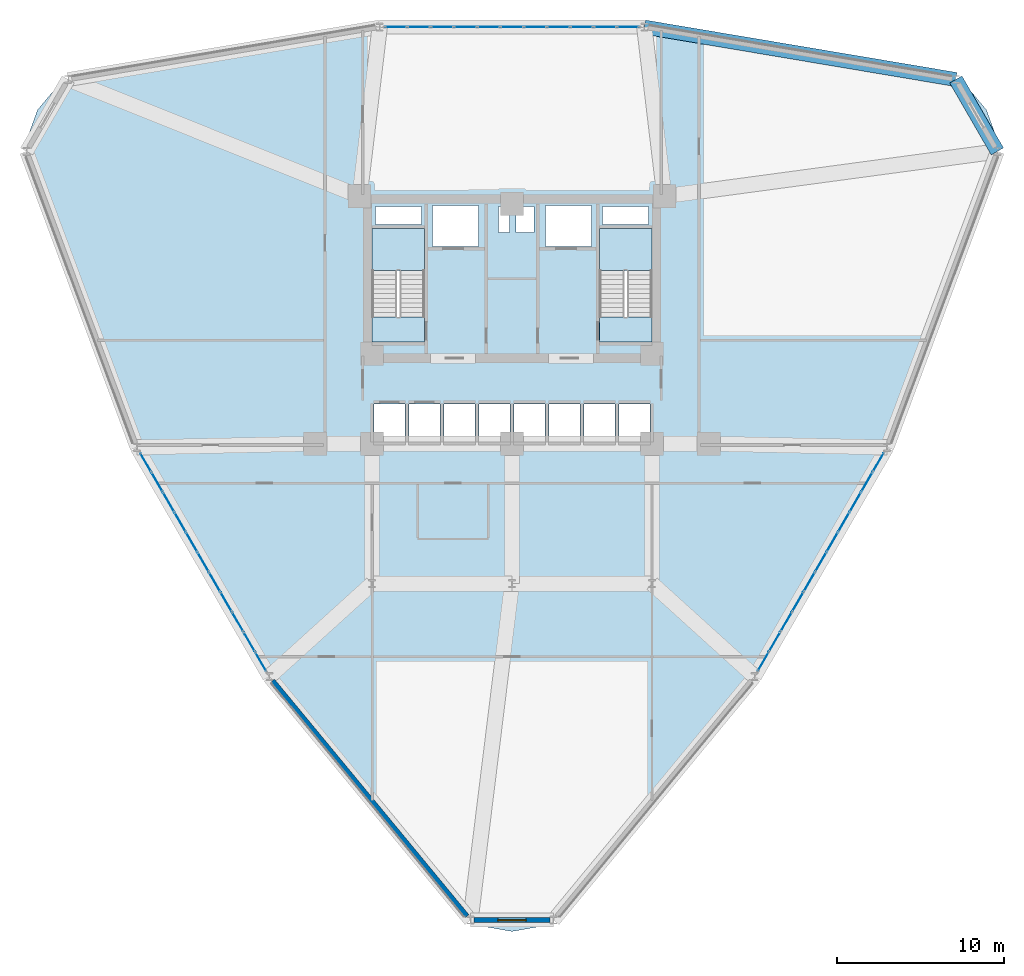
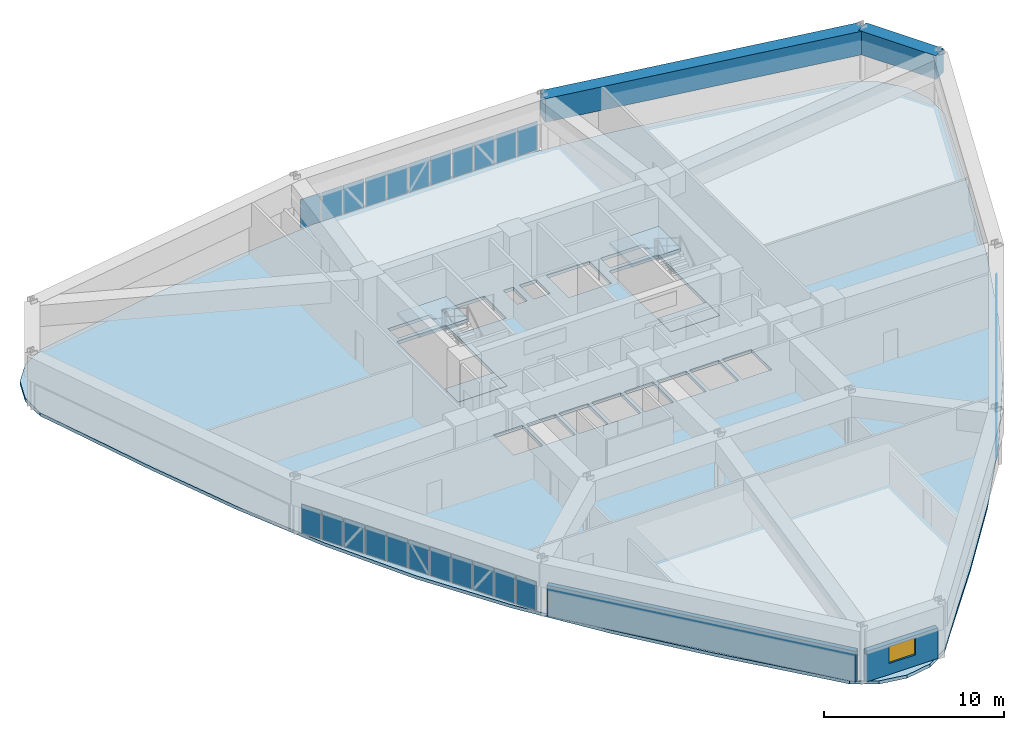
# One storey, part 14 of 20: 33 plates, 5 slabs, 2 beams, 2 walls, 1 window, 1 opening, 5 elements without a shape of their own.
"""IFC4 building model written with IfcOpenShell, lengths in metres."""

from ifc_helpers import new_model, si_unit, derived_unit, direction, frame, frame_2d, origin, origin_2d, place, context, subcontext, project, spatial, polyline, rectangle, outline, extrude, source, transform, mapped, material, layer, layer_set, material_profile, profile_set, type_object, element, fill, aggregate, save


model = new_model("IFC4")

# Units and contexts
model_context = context("Model", 3, precision=1e-05, world=origin(), true_north=direction((0.0, 1.0)))
body_context = subcontext(model_context, "Body", "Model", "MODEL_VIEW")
ifc_project = project(units=[si_unit("LENGTHUNIT", "METRE"), si_unit("AREAUNIT", "SQUARE_METRE"), si_unit("VOLUMEUNIT", "CUBIC_METRE"), si_unit("PLANEANGLEUNIT", "RADIAN"), si_unit("MASSUNIT", "GRAM", prefix="KILO"), derived_unit("THERMALTRANSMITTANCEUNIT", [(si_unit("POWERUNIT", "WATT"), 1), (si_unit("LENGTHUNIT", "METRE"), -2), (si_unit("THERMODYNAMICTEMPERATUREUNIT", "KELVIN"), -1)])], contexts=[model_context])

# Site, building, storey
site_placement = place(None, origin())
site = spatial("IfcSite", under=ifc_project, at=site_placement, CompositionType="ELEMENT")
building_placement = place(site_placement, origin())
building = spatial("IfcBuilding", under=site, at=building_placement, Name="Korsvarv Bourse and Concert Hall", CompositionType="ELEMENT")
storey_placement = place(building_placement, frame((0.0, 0.0, 35.699951171875)))
storey = spatial("IfcBuildingStorey", under=building, at=storey_placement, Name="L08", CompositionType="ELEMENT", Elevation=35.699951171875)

# Beams
ifc_material_1 = material(Name="Concrete C55/67", Category="concrete")
ifc_material_profile = material_profile(ifc_material_1, rectangle(XDim=0.85009765625, YDim=1.60009765625, at=origin_2d()), Name="RC-BM 850x1600")
ifc_profile_set = profile_set([ifc_material_profile], Name="Concrete C55/67")
beam_type = type_object("IfcBeamType", Name="BM-TR1B", PredefinedType="BEAM", material=ifc_profile_set)
shared_shape_1 = source(origin(), body_context, "Body", "SweptSolid", [
    extrude(rectangle(XDim=0.85009765625, YDim=1.60009765625, at=origin_2d()), origin(), (0.0, 0.0, 1.0), 4.985595703125),
])
beam_1_placement = place(storey_placement, frame((65.1298828125, 49.939697265625, 2.880126953125), z_axis=(-0.499983857782, 0.866034723298, 0.0), x_axis=(-0.866034723298, -0.499983857782, 0.0)))
element("IfcBeam", 1, at=beam_1_placement, inside=storey, type_object=beam_type, Name="L08 beam B-TR2", PredefinedType="BEAM", context=body_context, shape_type="MappedRepresentation", body=[
    mapped(shared_shape_1, transform((0.0, 0.0, 0.0), scale=1.0)),
])
shared_shape_2 = source(origin(), body_context, "Body", "SweptSolid", [
    extrude(rectangle(XDim=0.85009765625, YDim=1.60009765625, at=origin_2d()), origin(), (0.0, 0.0, 1.0), 18.95849609375),
])
beam_2_placement = place(storey_placement, frame((62.63720703125, 54.25732421875, 2.880126953125), z_axis=(-0.98615096674, 0.16585014561, 0.0), x_axis=(-0.16585014561, -0.98615096674, 0.0)))
element("IfcBeam", 2, at=beam_2_placement, inside=storey, type_object=beam_type, Name="L08 beam B-TR2", PredefinedType="BEAM", context=body_context, shape_type="MappedRepresentation", body=[
    mapped(shared_shape_2, transform((0.0, 0.0, 0.0), scale=1.0)),
])

# Slabs
ifc_material_2 = material(Name="Precast concrete C45/55", Category="concrete")
ifc_layer_1 = layer(ifc_material_2, 0.199951171875)
ifc_layer_set_1 = layer_set([ifc_layer_1], Name="Precast concrete C45/55")
slab_type_1 = type_object("IfcSlabType", Name="SLB-FLND-T", PredefinedType="LANDING", material=ifc_layer_set_1)
slab_1_placement = place(storey_placement, frame((0.0, 0.0, -0.199951171875)))
element("IfcSlab", 3, at=slab_1_placement, inside=storey, type_object=slab_type_1, Name="L08 Stair ST-T1 Floor Landing Slab", PredefinedType="LANDING", context=body_context, shape_type="SweptSolid", body=[
    extrude(outline(polyline([(30.760009765625, 38.5), (30.760009765625, 40.0), (27.60009765625, 40.0), (27.60009765625, 38.5), (30.760009765625, 38.5)])), origin(), (0.0, 0.0, 1.0), 0.199951171875),
])
slab_2_placement = place(storey_placement, frame((0.0, 0.0, -0.199951171875)))
element("IfcSlab", 4, at=slab_2_placement, inside=storey, type_object=slab_type_1, Name="L08 Stair ST-T2 Floor Landing Slab", PredefinedType="LANDING", context=body_context, shape_type="SweptSolid", body=[
    extrude(outline(polyline([(44.39990234375, 38.5), (44.39990234375, 40.0), (41.239990234375, 40.0), (41.239990234375, 38.5), (44.39990234375, 38.5)])), origin(), (0.0, 0.0, 1.0), 0.199951171875),
])

# Stair, slab
stair_type = type_object("IfcStairType", Name="STR-TYPE-03", PredefinedType="HALF_TURN_STAIR", material=ifc_material_2)
stair_1_placement = place(storey_placement, origin())
stair_1 = element("IfcStair", 5, at=stair_1_placement, inside=storey, type_object=stair_type, Name="L08 Tower West Exit Stair ST-T1", PredefinedType="HALF_TURN_STAIR")
ifc_layer_2 = layer(ifc_material_2, 0.199951171875)
ifc_layer_set_2 = layer_set([ifc_layer_2], Name="Precast concrete C45/55")
slab_type_2 = type_object("IfcSlabType", Name="SLB-ST-LND", PredefinedType="LANDING", material=ifc_layer_set_2)
slab_3_placement = place(storey_placement, frame((0.0, 0.0, 1.75)))
slab_3 = element("IfcSlab", 6, at=slab_3_placement, type_object=slab_type_2, Name="ST-T1 landing 1", PredefinedType="LANDING", context=body_context, shape_type="SweptSolid", body=[
    extrude(outline(polyline([(30.760009765625, 42.800048828125), (30.760009765625, 45.300048828125), (27.60009765625, 45.300048828125), (27.60009765625, 42.800048828125), (30.760009765625, 42.800048828125)])), origin(), (0.0, 0.0, 1.0), 0.199951171875),
])
aggregate(stair_1, [slab_3])

stair_2_placement = place(storey_placement, origin())
stair_2 = element("IfcStair", 7, at=stair_2_placement, inside=storey, type_object=stair_type, Name="L08 Tower East Exit Stair ST-T2", PredefinedType="HALF_TURN_STAIR")
slab_4_placement = place(storey_placement, frame((0.0, 0.0, 1.75)))
slab_4 = element("IfcSlab", 8, at=slab_4_placement, type_object=slab_type_2, Name="ST-T2 landing 1", PredefinedType="LANDING", context=body_context, shape_type="SweptSolid", body=[
    extrude(outline(polyline([(44.39990234375, 42.800048828125), (44.39990234375, 45.300048828125), (41.239990234375, 45.300048828125), (41.239990234375, 42.800048828125), (44.39990234375, 42.800048828125)])), origin(), (0.0, 0.0, 1.0), 0.199951171875),
])
aggregate(stair_2, [slab_4])

# Slab
ifc_material_3 = material(Name="Concrete C45/55", Category="concrete")
ifc_layer_3 = layer(ifc_material_3, 0.219970703125)
ifc_layer_set_3 = layer_set([ifc_layer_3], Name="Concrete C45/55")
slab_type_3 = type_object("IfcSlabType", Name="SLB-TW1", PredefinedType="FLOOR", material=ifc_layer_set_3)
slab_5_placement = place(storey_placement, frame((0.0, 0.0, -0.219970703125)))
element("IfcSlab", 9, at=slab_5_placement, inside=storey, type_object=slab_type_3, Name="L08 tower structural floor slab", PredefinedType="FLOOR", context=body_context, shape_type="SweptSolid", body=[
    extrude(outline(polyline([(64.415283203125, 47.536376953125), (62.34765625, 41.712158203125), (60.14013671875, 35.994384765625), (57.66796875, 30.449951171875), (54.845703125, 25.119384765625), (51.640380859375, 20.010009765625), (48.0751953125, 15.0966796875), (44.226806640625, 10.326416015625), (40.216796875, 5.62353515625), (40.21240234375, 5.6181640625), (39.052490234375, 4.23583984375), (37.624267578125, 3.411376953125), (36.0, 3.125), (34.375732421875, 3.411376953125), (32.947509765625, 4.23583984375), (31.78759765625, 5.6181640625), (31.783203125, 5.62353515625), (27.773193359375, 10.326416015625), (23.9248046875, 15.0966796875), (20.359619140625, 20.010009765625), (17.154296875, 25.119384765625), (14.33203125, 30.449951171875), (11.85986328125, 35.994384765625), (9.65234375, 41.712158203125), (7.584716796875, 47.536376953125), (7.58251953125, 47.54296875), (6.96533203125, 49.238525390625), (6.96533203125, 50.8876953125), (7.529296875, 52.4375), (8.589599609375, 53.700927734375), (10.017578125, 54.525390625), (11.794677734375, 54.8388671875), (11.801513671875, 54.840087890625), (17.87939453125, 55.961669921875), (23.934814453125, 56.908935546875), (29.972412109375, 57.5400390625), (36.0, 57.76123046875), (42.027587890625, 57.5400390625), (48.065185546875, 56.908935546875), (54.12060546875, 55.961669921875), (60.198486328125, 54.840087890625), (60.205322265625, 54.8388671875), (61.982421875, 54.525390625), (63.410400390625, 53.700927734375), (64.470703125, 52.4375), (65.03466796875, 50.8876953125), (65.03466796875, 49.238525390625), (64.41748046875, 47.54296875), (64.415283203125, 47.536376953125)]), holes=[polyline([(30.760009765625, 38.5), (30.760009765625, 45.300048828125), (27.60009765625, 45.300048828125), (27.60009765625, 38.5), (30.760009765625, 38.5)]), polyline([(44.39990234375, 38.5), (44.39990234375, 45.300048828125), (41.239990234375, 45.300048828125), (41.239990234375, 38.5), (44.39990234375, 38.5)]), polyline([(31.239990234375, 44.219970703125), (34.0, 44.219970703125), (34.0, 46.679931640625), (31.239990234375, 46.679931640625), (31.239990234375, 44.219970703125)]), polyline([(38.0, 44.219970703125), (40.760009765625, 44.219970703125), (40.760009765625, 46.679931640625), (38.0, 46.679931640625), (38.0, 44.219970703125)]), polyline([(27.719970703125, 32.52001953125), (29.580078125, 32.52001953125), (29.580078125, 34.780029296875), (27.719970703125, 34.780029296875), (27.719970703125, 32.52001953125)]), polyline([(29.820068359375, 32.52001953125), (31.679931640625, 32.52001953125), (31.679931640625, 34.780029296875), (29.820068359375, 34.780029296875), (29.820068359375, 32.52001953125)]), polyline([(31.919921875, 32.52001953125), (33.780029296875, 32.52001953125), (33.780029296875, 34.780029296875), (31.919921875, 34.780029296875), (31.919921875, 32.52001953125)]), polyline([(34.02001953125, 32.52001953125), (35.8798828125, 32.52001953125), (35.8798828125, 34.780029296875), (34.02001953125, 34.780029296875), (34.02001953125, 32.52001953125)]), polyline([(36.1201171875, 32.52001953125), (37.97998046875, 32.52001953125), (37.97998046875, 34.780029296875), (36.1201171875, 34.780029296875), (36.1201171875, 32.52001953125)]), polyline([(38.219970703125, 32.52001953125), (40.080078125, 32.52001953125), (40.080078125, 34.780029296875), (38.219970703125, 34.780029296875), (38.219970703125, 32.52001953125)]), polyline([(40.320068359375, 32.52001953125), (42.179931640625, 32.52001953125), (42.179931640625, 34.780029296875), (40.320068359375, 34.780029296875), (40.320068359375, 32.52001953125)]), polyline([(42.419921875, 32.52001953125), (44.280029296875, 32.52001953125), (44.280029296875, 34.780029296875), (42.419921875, 34.780029296875), (42.419921875, 32.52001953125)]), polyline([(27.800048828125, 45.56005859375), (30.56005859375, 45.56005859375), (30.56005859375, 46.6201171875), (27.800048828125, 46.6201171875), (27.800048828125, 45.56005859375)]), polyline([(41.43994140625, 45.56005859375), (44.199951171875, 45.56005859375), (44.199951171875, 46.6201171875), (41.43994140625, 46.6201171875), (41.43994140625, 45.56005859375)]), polyline([(35.199951171875, 45.080078125), (35.840087890625, 45.080078125), (35.840087890625, 46.6201171875), (35.199951171875, 46.6201171875), (35.199951171875, 45.080078125)]), polyline([(36.239990234375, 45.080078125), (37.320068359375, 45.080078125), (37.320068359375, 46.6201171875), (36.239990234375, 46.6201171875), (36.239990234375, 45.080078125)])]), origin(), (0.0, 0.0, 1.0), 0.219970703125),
])

# Curtain wall, plates
ifc_material_4 = material(Name="Anodised aluminium and triple low-E glazing", Category="glass")
ifc_layer_4 = layer(ifc_material_4, 0.219970703125)
ifc_layer_set_4 = layer_set([ifc_layer_4], Name="Anodised aluminium and triple low-E glazing")
curtain_wall_type = type_object("IfcCurtainWallType", Name="CW-SYS-1", PredefinedType="NOTDEFINED", material=ifc_layer_set_4)
curtain_wall_1_placement = place(storey_placement, origin())
curtain_wall_1 = element("IfcCurtainWall", 10, at=curtain_wall_1_placement, inside=storey, type_object=curtain_wall_type, Name="L08 CW1 curtain wall CW-L08-F03", PredefinedType="NOTDEFINED")
ifc_material_5 = material(Name="Tempered triple insulated low-E architectural glass", Category="glass")
ifc_layer_5 = layer(ifc_material_5, 0.035888671875)
ifc_layer_set_5 = layer_set([ifc_layer_5], Name="Tempered triple insulated low-E architectural glass")
plate_type_1 = type_object("IfcPlateType", Name="CWP-VIS1", PredefinedType="CURTAIN_PANEL", material=ifc_layer_set_5)
shared_shape_3 = source(origin(), body_context, "Body", "SweptSolid", [
    extrude(rectangle(XDim=1.291259765625, YDim=0.035888671875, at=origin_2d()), origin(), (0.0, 0.0, 1.0), 1.949951171875),
])
plate_1_placement = place(storey_placement, frame((42.96337890625, 57.401611328125, 0.06494140625), z_axis=(0.0, 0.0, 1.0), x_axis=(-1.0, 0.0, 0.0)))
plate_1 = element("IfcPlate", 11, at=plate_1_placement, type_object=plate_type_1, Name="CW1 faceted panel 1.1", PredefinedType="CURTAIN_PANEL", context=body_context, shape_type="MappedRepresentation", body=[
    mapped(shared_shape_3, transform((0.0, 0.0, 0.0), scale=1.0)),
])
plate_2_placement = place(storey_placement, frame((29.03662109375, 57.401611328125, 0.06494140625), z_axis=(0.0, 0.0, 1.0), x_axis=(-1.0, 0.0, 0.0)))
plate_2 = element("IfcPlate", 12, at=plate_2_placement, type_object=plate_type_1, Name="CW1 faceted panel 11.1", PredefinedType="CURTAIN_PANEL", context=body_context, shape_type="MappedRepresentation", body=[
    mapped(shared_shape_3, transform((0.0, 0.0, 0.0), scale=1.0)),
])
shared_shape_4 = source(origin(), body_context, "Body", "SweptSolid", [
    extrude(rectangle(XDim=1.326171875, YDim=0.035888671875, at=origin_2d()), origin(), (0.0, 0.0, 1.0), 1.949951171875),
])
plate_3_placement = place(storey_placement, frame((41.584716796875, 57.401611328125, 0.06494140625), z_axis=(0.0, 0.0, 1.0), x_axis=(-1.0, 0.0, 0.0)))
plate_3 = element("IfcPlate", 13, at=plate_3_placement, type_object=plate_type_1, Name="CW1 faceted panel 2.1", PredefinedType="CURTAIN_PANEL", context=body_context, shape_type="MappedRepresentation", body=[
    mapped(shared_shape_4, transform((0.0, 0.0, 0.0), scale=1.0)),
])
plate_4_placement = place(storey_placement, frame((38.79248046875, 57.401611328125, 0.06494140625), z_axis=(0.0, 0.0, 1.0), x_axis=(-1.0, 0.0, 0.0)))
plate_4 = element("IfcPlate", 14, at=plate_4_placement, type_object=plate_type_1, Name="CW1 faceted panel 4.1", PredefinedType="CURTAIN_PANEL", context=body_context, shape_type="MappedRepresentation", body=[
    mapped(shared_shape_4, transform((0.0, 0.0, 0.0), scale=1.0)),
])
plate_5_placement = place(storey_placement, frame((37.396240234375, 57.401611328125, 0.06494140625), z_axis=(0.0, 0.0, 1.0), x_axis=(-1.0, 0.0, 0.0)))
plate_5 = element("IfcPlate", 15, at=plate_5_placement, type_object=plate_type_1, Name="CW1 faceted panel 5.1", PredefinedType="CURTAIN_PANEL", context=body_context, shape_type="MappedRepresentation", body=[
    mapped(shared_shape_4, transform((0.0, 0.0, 0.0), scale=1.0)),
])
plate_6_placement = place(storey_placement, frame((34.603759765625, 57.401611328125, 0.06494140625), z_axis=(0.0, 0.0, 1.0), x_axis=(-1.0, 0.0, 0.0)))
plate_6 = element("IfcPlate", 16, at=plate_6_placement, type_object=plate_type_1, Name="CW1 faceted panel 7.1", PredefinedType="CURTAIN_PANEL", context=body_context, shape_type="MappedRepresentation", body=[
    mapped(shared_shape_4, transform((0.0, 0.0, 0.0), scale=1.0)),
])
plate_7_placement = place(storey_placement, frame((33.20751953125, 57.401611328125, 0.06494140625), z_axis=(0.0, 0.0, 1.0), x_axis=(-1.0, 0.0, 0.0)))
plate_7 = element("IfcPlate", 17, at=plate_7_placement, type_object=plate_type_1, Name="CW1 faceted panel 8.1", PredefinedType="CURTAIN_PANEL", context=body_context, shape_type="MappedRepresentation", body=[
    mapped(shared_shape_4, transform((0.0, 0.0, 0.0), scale=1.0)),
])
plate_8_placement = place(storey_placement, frame((30.415283203125, 57.401611328125, 0.06494140625), z_axis=(0.0, 0.0, 1.0), x_axis=(-1.0, 0.0, 0.0)))
plate_8 = element("IfcPlate", 18, at=plate_8_placement, type_object=plate_type_1, Name="CW1 faceted panel 10.1", PredefinedType="CURTAIN_PANEL", context=body_context, shape_type="MappedRepresentation", body=[
    mapped(shared_shape_4, transform((0.0, 0.0, 0.0), scale=1.0)),
])
ifc_material_6 = material(Name="Insulated spandrel glass", Category="glass")
ifc_layer_6 = layer(ifc_material_6, 0.031982421875)
ifc_layer_set_6 = layer_set([ifc_layer_6], Name="Insulated spandrel glass")
plate_type_2 = type_object("IfcPlateType", Name="CWP-SPD1", PredefinedType="CURTAIN_PANEL", material=ifc_layer_set_6)
shared_shape_5 = source(origin(), body_context, "Body", "SweptSolid", [
    extrude(rectangle(XDim=1.326171875, YDim=0.031982421875, at=origin_2d()), origin(), (0.0, 0.0, 1.0), 1.949951171875),
])
plate_9_placement = place(storey_placement, frame((40.188720703125, 57.401611328125, 0.06494140625), z_axis=(0.0, 0.0, 1.0), x_axis=(-1.0, 0.0, 0.0)))
plate_9 = element("IfcPlate", 19, at=plate_9_placement, type_object=plate_type_2, Name="CW1 spandrel shadow-box panel 3.1", PredefinedType="CURTAIN_PANEL", context=body_context, shape_type="MappedRepresentation", body=[
    mapped(shared_shape_5, transform((0.0, 0.0, 0.0), scale=1.0)),
])
plate_10_placement = place(storey_placement, frame((36.0, 57.401611328125, 0.06494140625), z_axis=(0.0, 0.0, 1.0), x_axis=(-1.0, 0.0, 0.0)))
plate_10 = element("IfcPlate", 20, at=plate_10_placement, type_object=plate_type_2, Name="CW1 spandrel shadow-box panel 6.1", PredefinedType="CURTAIN_PANEL", context=body_context, shape_type="MappedRepresentation", body=[
    mapped(shared_shape_5, transform((0.0, 0.0, 0.0), scale=1.0)),
])
plate_11_placement = place(storey_placement, frame((31.811279296875, 57.401611328125, 0.06494140625), z_axis=(0.0, 0.0, 1.0), x_axis=(-1.0, 0.0, 0.0)))
plate_11 = element("IfcPlate", 21, at=plate_11_placement, type_object=plate_type_2, Name="CW1 spandrel shadow-box panel 9.1", PredefinedType="CURTAIN_PANEL", context=body_context, shape_type="MappedRepresentation", body=[
    mapped(shared_shape_5, transform((0.0, 0.0, 0.0), scale=1.0)),
])
aggregate(curtain_wall_1, [plate_1, plate_3, plate_9, plate_4, plate_5, plate_10, plate_6, plate_7, plate_11, plate_8, plate_2])

curtain_wall_2_placement = place(storey_placement, origin())
curtain_wall_2 = element("IfcCurtainWall", 22, at=curtain_wall_2_placement, inside=storey, type_object=curtain_wall_type, Name="L08 CW1 curtain wall CW-L08-F07", PredefinedType="NOTDEFINED")
shared_shape_6 = source(origin(), body_context, "Body", "SweptSolid", [
    extrude(rectangle(XDim=1.278564453125, YDim=0.035888671875, at=origin_2d()), origin(), (0.0, 0.0, 1.0), 1.949951171875),
])
plate_12_placement = place(storey_placement, frame((14.015625, 31.275146484375, 0.06494140625), z_axis=(0.0, 0.0, 1.0), x_axis=(0.499999630998, -0.866025616828, 0.0)))
plate_12 = element("IfcPlate", 23, at=plate_12_placement, type_object=plate_type_1, Name="CW1 faceted panel 1.1", PredefinedType="CURTAIN_PANEL", context=body_context, shape_type="MappedRepresentation", body=[
    mapped(shared_shape_6, transform((0.0, 0.0, 0.0), scale=1.0)),
])
plate_13_placement = place(storey_placement, frame((20.916015625, 19.3232421875, 0.06494140625), z_axis=(0.0, 0.0, 1.0), x_axis=(0.499999630998, -0.866025616828, 0.0)))
plate_13 = element("IfcPlate", 24, at=plate_13_placement, type_object=plate_type_1, Name="CW1 faceted panel 11.1", PredefinedType="CURTAIN_PANEL", context=body_context, shape_type="MappedRepresentation", body=[
    mapped(shared_shape_6, transform((0.0, 0.0, 0.0), scale=1.0)),
])

curtain_wall_3_placement = place(storey_placement, origin())
curtain_wall_3 = element("IfcCurtainWall", 25, at=curtain_wall_3_placement, inside=storey, type_object=curtain_wall_type, Name="L08 CW1 curtain wall CW-L08-F11", PredefinedType="NOTDEFINED")
plate_14_placement = place(storey_placement, frame((51.083984375, 19.3232421875, 0.06494140625), z_axis=(0.0, 0.0, 1.0), x_axis=(0.499999630998, 0.866025616828, 0.0)))
plate_14 = element("IfcPlate", 26, at=plate_14_placement, type_object=plate_type_1, Name="CW1 faceted panel 1.1", PredefinedType="CURTAIN_PANEL", context=body_context, shape_type="MappedRepresentation", body=[
    mapped(shared_shape_6, transform((0.0, 0.0, 0.0), scale=1.0)),
])
plate_15_placement = place(storey_placement, frame((57.984375, 31.275146484375, 0.06494140625), z_axis=(0.0, 0.0, 1.0), x_axis=(0.499999630998, 0.866025616828, 0.0)))
plate_15 = element("IfcPlate", 27, at=plate_15_placement, type_object=plate_type_1, Name="CW1 faceted panel 11.1", PredefinedType="CURTAIN_PANEL", context=body_context, shape_type="MappedRepresentation", body=[
    mapped(shared_shape_6, transform((0.0, 0.0, 0.0), scale=1.0)),
])

# Plate
shared_shape_7 = source(origin(), body_context, "Body", "SweptSolid", [
    extrude(rectangle(XDim=1.3134765625, YDim=0.035888671875, at=origin_2d()), origin(), (0.0, 0.0, 1.0), 1.949951171875),
])
plate_16_placement = place(storey_placement, frame((14.698486328125, 30.092041015625, 0.06494140625), z_axis=(0.0, 0.0, 1.0), x_axis=(0.499999630998, -0.866025616828, 0.0)))
plate_16 = element("IfcPlate", 28, at=plate_16_placement, type_object=plate_type_1, Name="CW1 faceted panel 2.1", PredefinedType="CURTAIN_PANEL", context=body_context, shape_type="MappedRepresentation", body=[
    mapped(shared_shape_7, transform((0.0, 0.0, 0.0), scale=1.0)),
])

plate_17_placement = place(storey_placement, frame((16.082275390625, 27.695556640625, 0.06494140625), z_axis=(0.0, 0.0, 1.0), x_axis=(0.499999630998, -0.866025616828, 0.0)))
plate_17 = element("IfcPlate", 29, at=plate_17_placement, type_object=plate_type_1, Name="CW1 faceted panel 4.1", PredefinedType="CURTAIN_PANEL", context=body_context, shape_type="MappedRepresentation", body=[
    mapped(shared_shape_7, transform((0.0, 0.0, 0.0), scale=1.0)),
])

plate_18_placement = place(storey_placement, frame((16.77392578125, 26.497314453125, 0.06494140625), z_axis=(0.0, 0.0, 1.0), x_axis=(0.499999630998, -0.866025616828, 0.0)))
plate_18 = element("IfcPlate", 30, at=plate_18_placement, type_object=plate_type_1, Name="CW1 faceted panel 5.1", PredefinedType="CURTAIN_PANEL", context=body_context, shape_type="MappedRepresentation", body=[
    mapped(shared_shape_7, transform((0.0, 0.0, 0.0), scale=1.0)),
])

plate_19_placement = place(storey_placement, frame((18.157470703125, 24.10107421875, 0.06494140625), z_axis=(0.0, 0.0, 1.0), x_axis=(0.499999630998, -0.866025616828, 0.0)))
plate_19 = element("IfcPlate", 31, at=plate_19_placement, type_object=plate_type_1, Name="CW1 faceted panel 7.1", PredefinedType="CURTAIN_PANEL", context=body_context, shape_type="MappedRepresentation", body=[
    mapped(shared_shape_7, transform((0.0, 0.0, 0.0), scale=1.0)),
])

plate_20_placement = place(storey_placement, frame((18.849365234375, 22.90283203125, 0.06494140625), z_axis=(0.0, 0.0, 1.0), x_axis=(0.499999630998, -0.866025616828, 0.0)))
plate_20 = element("IfcPlate", 32, at=plate_20_placement, type_object=plate_type_1, Name="CW1 faceted panel 8.1", PredefinedType="CURTAIN_PANEL", context=body_context, shape_type="MappedRepresentation", body=[
    mapped(shared_shape_7, transform((0.0, 0.0, 0.0), scale=1.0)),
])

plate_21_placement = place(storey_placement, frame((20.23291015625, 20.50634765625, 0.06494140625), z_axis=(0.0, 0.0, 1.0), x_axis=(0.499999630998, -0.866025616828, 0.0)))
plate_21 = element("IfcPlate", 33, at=plate_21_placement, type_object=plate_type_1, Name="CW1 faceted panel 10.1", PredefinedType="CURTAIN_PANEL", context=body_context, shape_type="MappedRepresentation", body=[
    mapped(shared_shape_7, transform((0.0, 0.0, 0.0), scale=1.0)),
])

plate_22_placement = place(storey_placement, frame((51.76708984375, 20.50634765625, 0.06494140625), z_axis=(0.0, 0.0, 1.0), x_axis=(0.499999630998, 0.866025616828, 0.0)))
plate_22 = element("IfcPlate", 34, at=plate_22_placement, type_object=plate_type_1, Name="CW1 faceted panel 2.1", PredefinedType="CURTAIN_PANEL", context=body_context, shape_type="MappedRepresentation", body=[
    mapped(shared_shape_7, transform((0.0, 0.0, 0.0), scale=1.0)),
])

plate_23_placement = place(storey_placement, frame((53.150634765625, 22.90283203125, 0.06494140625), z_axis=(0.0, 0.0, 1.0), x_axis=(0.499999630998, 0.866025616828, 0.0)))
plate_23 = element("IfcPlate", 35, at=plate_23_placement, type_object=plate_type_1, Name="CW1 faceted panel 4.1", PredefinedType="CURTAIN_PANEL", context=body_context, shape_type="MappedRepresentation", body=[
    mapped(shared_shape_7, transform((0.0, 0.0, 0.0), scale=1.0)),
])

plate_24_placement = place(storey_placement, frame((53.842529296875, 24.10107421875, 0.06494140625), z_axis=(0.0, 0.0, 1.0), x_axis=(0.499999630998, 0.866025616828, 0.0)))
plate_24 = element("IfcPlate", 36, at=plate_24_placement, type_object=plate_type_1, Name="CW1 faceted panel 5.1", PredefinedType="CURTAIN_PANEL", context=body_context, shape_type="MappedRepresentation", body=[
    mapped(shared_shape_7, transform((0.0, 0.0, 0.0), scale=1.0)),
])

plate_25_placement = place(storey_placement, frame((55.22607421875, 26.497314453125, 0.06494140625), z_axis=(0.0, 0.0, 1.0), x_axis=(0.499999630998, 0.866025616828, 0.0)))
plate_25 = element("IfcPlate", 37, at=plate_25_placement, type_object=plate_type_1, Name="CW1 faceted panel 7.1", PredefinedType="CURTAIN_PANEL", context=body_context, shape_type="MappedRepresentation", body=[
    mapped(shared_shape_7, transform((0.0, 0.0, 0.0), scale=1.0)),
])

plate_26_placement = place(storey_placement, frame((55.917724609375, 27.695556640625, 0.06494140625), z_axis=(0.0, 0.0, 1.0), x_axis=(0.499999630998, 0.866025616828, 0.0)))
plate_26 = element("IfcPlate", 38, at=plate_26_placement, type_object=plate_type_1, Name="CW1 faceted panel 8.1", PredefinedType="CURTAIN_PANEL", context=body_context, shape_type="MappedRepresentation", body=[
    mapped(shared_shape_7, transform((0.0, 0.0, 0.0), scale=1.0)),
])

plate_27_placement = place(storey_placement, frame((57.301513671875, 30.092041015625, 0.06494140625), z_axis=(0.0, 0.0, 1.0), x_axis=(0.499999630998, 0.866025616828, 0.0)))
plate_27 = element("IfcPlate", 39, at=plate_27_placement, type_object=plate_type_1, Name="CW1 faceted panel 10.1", PredefinedType="CURTAIN_PANEL", context=body_context, shape_type="MappedRepresentation", body=[
    mapped(shared_shape_7, transform((0.0, 0.0, 0.0), scale=1.0)),
])

shared_shape_8 = source(origin(), body_context, "Body", "SweptSolid", [
    extrude(rectangle(XDim=1.3134765625, YDim=0.031982421875, at=origin_2d()), origin(), (0.0, 0.0, 1.0), 1.949951171875),
])
plate_28_placement = place(storey_placement, frame((15.390380859375, 28.893798828125, 0.06494140625), z_axis=(0.0, 0.0, 1.0), x_axis=(0.499999630998, -0.866025616828, 0.0)))
plate_28 = element("IfcPlate", 40, at=plate_28_placement, type_object=plate_type_2, Name="CW1 spandrel shadow-box panel 3.1", PredefinedType="CURTAIN_PANEL", context=body_context, shape_type="MappedRepresentation", body=[
    mapped(shared_shape_8, transform((0.0, 0.0, 0.0), scale=1.0)),
])

plate_29_placement = place(storey_placement, frame((17.4658203125, 25.29931640625, 0.06494140625), z_axis=(0.0, 0.0, 1.0), x_axis=(0.499999630998, -0.866025616828, 0.0)))
plate_29 = element("IfcPlate", 41, at=plate_29_placement, type_object=plate_type_2, Name="CW1 spandrel shadow-box panel 6.1", PredefinedType="CURTAIN_PANEL", context=body_context, shape_type="MappedRepresentation", body=[
    mapped(shared_shape_8, transform((0.0, 0.0, 0.0), scale=1.0)),
])

plate_30_placement = place(storey_placement, frame((19.541015625, 21.70458984375, 0.06494140625), z_axis=(0.0, 0.0, 1.0), x_axis=(0.499999630998, -0.866025616828, 0.0)))
plate_30 = element("IfcPlate", 42, at=plate_30_placement, type_object=plate_type_2, Name="CW1 spandrel shadow-box panel 9.1", PredefinedType="CURTAIN_PANEL", context=body_context, shape_type="MappedRepresentation", body=[
    mapped(shared_shape_8, transform((0.0, 0.0, 0.0), scale=1.0)),
])

aggregate(curtain_wall_2, [plate_12, plate_16, plate_28, plate_17, plate_18, plate_29, plate_19, plate_20, plate_30, plate_21, plate_13])

plate_31_placement = place(storey_placement, frame((52.458984375, 21.70458984375, 0.06494140625), z_axis=(0.0, 0.0, 1.0), x_axis=(0.499999630998, 0.866025616828, 0.0)))
plate_31 = element("IfcPlate", 43, at=plate_31_placement, type_object=plate_type_2, Name="CW1 spandrel shadow-box panel 3.1", PredefinedType="CURTAIN_PANEL", context=body_context, shape_type="MappedRepresentation", body=[
    mapped(shared_shape_8, transform((0.0, 0.0, 0.0), scale=1.0)),
])

plate_32_placement = place(storey_placement, frame((54.5341796875, 25.29931640625, 0.06494140625), z_axis=(0.0, 0.0, 1.0), x_axis=(0.499999630998, 0.866025616828, 0.0)))
plate_32 = element("IfcPlate", 44, at=plate_32_placement, type_object=plate_type_2, Name="CW1 spandrel shadow-box panel 6.1", PredefinedType="CURTAIN_PANEL", context=body_context, shape_type="MappedRepresentation", body=[
    mapped(shared_shape_8, transform((0.0, 0.0, 0.0), scale=1.0)),
])

plate_33_placement = place(storey_placement, frame((56.609619140625, 28.893798828125, 0.06494140625), z_axis=(0.0, 0.0, 1.0), x_axis=(0.499999630998, 0.866025616828, 0.0)))
plate_33 = element("IfcPlate", 45, at=plate_33_placement, type_object=plate_type_2, Name="CW1 spandrel shadow-box panel 9.1", PredefinedType="CURTAIN_PANEL", context=body_context, shape_type="MappedRepresentation", body=[
    mapped(shared_shape_8, transform((0.0, 0.0, 0.0), scale=1.0)),
])

aggregate(curtain_wall_3, [plate_14, plate_22, plate_31, plate_23, plate_24, plate_32, plate_25, plate_26, plate_33, plate_27, plate_15])

# Wall, opening, window
ifc_material_7 = material(Name="Precast concrete C45/55 with terracotta rainscreen", Category="concrete")
ifc_layer_7 = layer(ifc_material_7, 0.300048828125)
ifc_layer_set_7 = layer_set([ifc_layer_7], Name="Precast concrete C45/55 with terracotta rainscreen")
wall_type_1 = type_object("IfcWallType", Name="WL-EXT-TC1", PredefinedType="SOLIDWALL", material=ifc_layer_set_7)
wall_1_placement = place(storey_placement, frame((33.72412109375, 3.802978515625, 0.0), z_axis=(0.0, 0.0, 1.0), x_axis=(1.0, 0.0, 0.0)))
wall_1 = element("IfcWall", 46, at=wall_1_placement, inside=storey, type_object=wall_type_1, Name="L08 terracotta exterior wall EW-L08-B09", PredefinedType="SOLIDWALL", context=body_context, shape_type="SweptSolid", body=[
    extrude(rectangle(XDim=4.5517578125, YDim=0.300048828125, at=frame_2d((2.27587890625, 0.0))), origin(), (0.0, 0.0, 1.0), 2.080078125),
])
opening_placement = place(wall_1_placement, frame((1.42578125, 0.0, 0.75)))
opening = element("IfcOpeningElement", 47, at=opening_placement, cuts=wall_1, Name="Opening W-06", PredefinedType="OPENING", context=body_context, shape_type="SweptSolid", body=[
    extrude(rectangle(XDim=1.699951171875, YDim=1.14990234375, at=frame_2d((0.85009765625, 0.574951171875))), frame((0.0, 0.16015625, 0.0), z_axis=(0.0, -1.0, 0.0), x_axis=(1.0, 0.0, 0.0)), (0.0, 0.0, 1.0), 0.320068359375),
])
ifc_material_8 = material(Name="Thermally broken aluminium frame with triple low-E glass", Category="glass")
window_type = type_object("IfcWindowType", Name="WIN-TW1-1700X1150", PartitioningType="SINGLE_PANEL", PredefinedType="WINDOW", material=ifc_material_8)
window_placement = place(opening_placement, origin())
window = element("IfcWindow", 48, at=window_placement, inside=storey, type_object=window_type, Name="L08 punched facade window W-06", OverallHeight=1.14990234375, OverallWidth=1.699951171875, PartitioningType="SINGLE_PANEL", PredefinedType="WINDOW", context=body_context, shape_type="SweptSolid", body=[
    extrude(rectangle(XDim=1.699951171875, YDim=1.14990234375, at=frame_2d((0.85009765625, 0.574951171875))), frame((0.0, 0.030029296875, 0.0), z_axis=(0.0, -1.0, 0.0), x_axis=(1.0, 0.0, 0.0)), (0.0, 0.0, 1.0), 0.06005859375),
])
fill(opening, window)

# Wall
ifc_material_9 = material(Name="Precast concrete C45/55 with fluted terracotta pier", Category="concrete")
ifc_layer_8 = layer(ifc_material_9, 0.280029296875)
ifc_layer_set_8 = layer_set([ifc_layer_8], Name="Precast concrete C45/55 with fluted terracotta pier")
wall_type_2 = type_object("IfcWallType", Name="WL-EXT-TC2", PredefinedType="SOLIDWALL", material=ifc_layer_set_8)
wall_2_placement = place(storey_placement, frame((21.635986328125, 18.179931640625, 0.0), z_axis=(0.0, 0.0, 1.0), x_axis=(0.636707615974, -0.771105318203, 0.0)))
element("IfcWall", 49, at=wall_2_placement, inside=storey, type_object=wall_type_2, Name="L08 terracotta exterior wall EW-L08-B08", PredefinedType="SOLIDWALL", context=body_context, shape_type="SweptSolid", body=[
    extrude(rectangle(XDim=18.330810546875, YDim=0.280029296875, at=frame_2d((9.16552734375, 0.0))), origin(), (0.0, 0.0, 1.0), 2.080078125),
])

save(model, "model.ifc")
